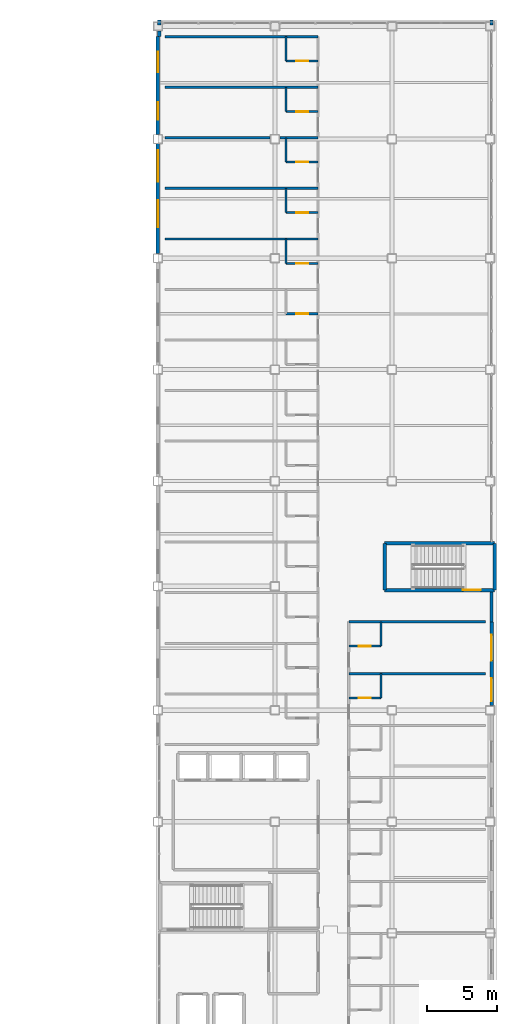
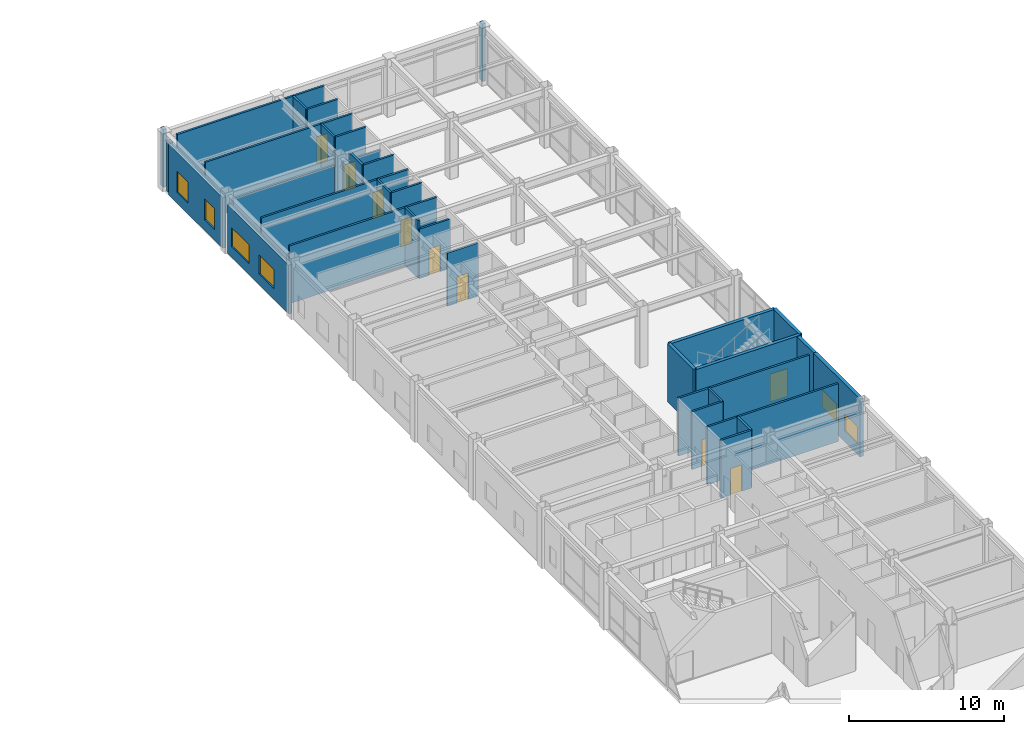
# One storey, part 55 of 61: 34 walls, 9 doors, 6 windows, 15 openings.
"""IFC4 building model written with IfcOpenShell, lengths in metres."""

from ifc_helpers import new_model, si_unit, direction, frame, frame_2d, origin, place, context, subcontext, project, spatial, rectangle, extrude, material, layer, layer_set, type_object, element, fill, save


model = new_model("IFC4")

# Units and contexts
model_context = context("Model", 3, precision=1e-05, world=origin(), true_north=direction((0.0, 1.0)))
body_context = subcontext(model_context, "Body", "Model", "MODEL_VIEW")
ifc_project = project(units=[si_unit("LENGTHUNIT", "METRE"), si_unit("AREAUNIT", "SQUARE_METRE"), si_unit("VOLUMEUNIT", "CUBIC_METRE"), si_unit("PLANEANGLEUNIT", "RADIAN"), si_unit("MASSUNIT", "GRAM", prefix="KILO")], contexts=[model_context])

# Site, building, storey
site_placement = place(None, origin())
site = spatial("IfcSite", under=ifc_project, at=site_placement, CompositionType="ELEMENT")
building_placement = place(site_placement, origin())
building = spatial("IfcBuilding", under=site, at=building_placement, Name="Kazehara Bluff Congress Hotel", CompositionType="ELEMENT")
storey_placement = place(building_placement, frame((0.0, 0.0, 19.800048828125)))
storey = spatial("IfcBuildingStorey", under=building, at=storey_placement, Name="L04", CompositionType="ELEMENT", Elevation=19.800048828125)

# Walls
ifc_material_1 = material(Name="Concrete C40/50", Category="concrete")
ifc_layer_1 = layer(ifc_material_1, 0.25)
ifc_layer_set_1 = layer_set([ifc_layer_1], Name="Concrete C40/50")
wall_type_1 = type_object("IfcWallType", Name="TP-CW-RC", PredefinedType="SHEAR", material=ifc_layer_set_1)
for number, where, z_axis, x_axis, name in (
    (1, (167.875, 76.425048828125, 0.0), (0.0, 0.0, 1.0), (0.0, -1.0, 0.0), "L04 ST-12 core wall near"),
    (2, (159.97509765625, 73.074951171875, 0.0), (0.0, 0.0, 1.0), (0.0, 1.0, 0.0), "L04 ST-12 core wall far"),
):
    element("IfcWall", number, at=place(storey_placement, frame(where, z_axis=z_axis, x_axis=x_axis)), inside=storey, type_object=wall_type_1, Name=name, PredefinedType="SHEAR", context=body_context, shape_type="SweptSolid", body=[
        extrude(rectangle(XDim=3.35009765625, YDim=0.25, at=frame_2d((1.675048828125, 0.0))), origin(), (0.0, 0.0, 1.0), 4.579833984375),
    ])
wall_1_placement = place(storey_placement, frame((159.97509765625, 76.425048828125, 0.0), z_axis=(0.0, 0.0, 1.0), x_axis=(1.0, 0.0, 0.0)))
element("IfcWall", 3, at=wall_1_placement, inside=storey, type_object=wall_type_1, Name="L04 ST-12 core wall left", PredefinedType="SHEAR", context=body_context, shape_type="SweptSolid", body=[
    extrude(rectangle(XDim=7.89990234375, YDim=0.25, at=frame_2d((3.949951171875, 0.0))), origin(), (0.0, 0.0, 1.0), 4.579833984375),
])

# Wall, opening, door
wall_2_placement = place(storey_placement, frame((167.875, 73.074951171875, 0.0), z_axis=(0.0, 0.0, 1.0), x_axis=(-1.0, 0.0, 0.0)))
wall_2 = element("IfcWall", 4, at=wall_2_placement, inside=storey, type_object=wall_type_1, Name="L04 ST-12 core wall right", PredefinedType="SHEAR", context=body_context, shape_type="SweptSolid", body=[
    extrude(rectangle(XDim=7.89990234375, YDim=0.25, at=frame_2d((3.949951171875, 0.0))), origin(), (0.0, 0.0, 1.0), 4.579833984375),
])
opening_1_placement = place(wall_2_placement, frame((0.985107421875, 0.0, 0.0)))
opening_1 = element("IfcOpeningElement", 5, at=opening_1_placement, cuts=wall_2, Name="Opening FD-01", PredefinedType="OPENING", context=body_context, shape_type="SweptSolid", body=[
    extrude(rectangle(XDim=1.300048828125, YDim=2.199951171875, at=frame_2d((0.64990234375, 1.10009765625))), frame((0.0, 0.135009765625, 0.0), z_axis=(0.0, -1.0, 0.0), x_axis=(1.0, 0.0, 0.0)), (0.0, 0.0, 1.0), 0.27001953125),
])
ifc_material_2 = material(Name="Fire-rated painted steel leaf", Category="steel")
door_type_1 = type_object("IfcDoorType", Name="TP-FD-01", OperationType="NOTDEFINED", PredefinedType="DOOR", material=ifc_material_2)
door_1_placement = place(opening_1_placement, origin())
door_1 = element("IfcDoor", 6, at=door_1_placement, inside=storey, type_object=door_type_1, Name="L04 ST-12 fire stair door", OperationType="SINGLE_SWING_RIGHT", OverallHeight=2.199951171875, OverallWidth=1.300048828125, PredefinedType="DOOR", context=body_context, shape_type="SweptSolid", body=[
    extrude(rectangle(XDim=1.300048828125, YDim=2.199951171875, at=frame_2d((0.64990234375, 1.10009765625))), frame((0.0, 0.02490234375, 0.0), z_axis=(0.0, -1.0, 0.0), x_axis=(1.0, 0.0, 0.0)), (0.0, 0.0, 1.0), 0.050048828125),
])
fill(opening_1, door_1)

# Walls
ifc_material_3 = material(Name="Precast concrete C40/50", Category="concrete")
ifc_layer_2 = layer(ifc_material_3, 0.239990234375)
ifc_layer_set_2 = layer_set([ifc_layer_2], Name="Precast concrete C40/50")
wall_type_2 = type_object("IfcWallType", Name="TP-EW-240", PredefinedType="SOLIDWALL", material=ifc_layer_set_2)
wall_3_placement = place(storey_placement, frame((167.64990234375, 72.93994140625, 0.0), z_axis=(0.0, 0.0, 1.0), x_axis=(0.0, -1.0, 0.0)))
element("IfcWall", 7, at=wall_3_placement, inside=storey, type_object=wall_type_2, Name="L04 V5 perimeter spandrel pier 726", PredefinedType="SOLIDWALL", context=body_context, shape_type="SweptSolid", body=[
    extrude(rectangle(XDim=2.139892578125, YDim=0.239990234375, at=frame_2d((1.06982421875, 0.0))), origin(), (0.0, 0.0, 1.0), 4.56494140625),
])
wall_4_placement = place(storey_placement, frame((167.64990234375, 114.0, 0.0), z_axis=(0.0, 0.0, 1.0), x_axis=(0.0, -1.0, 0.0)))
element("IfcWall", 8, at=wall_4_placement, inside=storey, type_object=wall_type_2, Name="L04 V5 perimeter spandrel pier 727", PredefinedType="SOLIDWALL", context=body_context, shape_type="SweptSolid", body=[
    extrude(rectangle(XDim=0.360107421875, YDim=0.239990234375, at=frame_2d((0.18017578125, 0.0))), origin(), (0.0, 0.0, 1.0), 4.56494140625),
])
wall_5_placement = place(storey_placement, frame((143.800048828125, 112.800048828125, 0.0), z_axis=(0.0, 0.0, 1.0), x_axis=(0.0, 1.0, 0.0)))
element("IfcWall", 9, at=wall_5_placement, inside=storey, type_object=wall_type_2, Name="L04 V5 perimeter spandrel pier 730", PredefinedType="SOLIDWALL", context=body_context, shape_type="SweptSolid", body=[
    extrude(rectangle(XDim=0.425048828125, YDim=0.239990234375, at=frame_2d((0.21240234375, 0.0))), origin(), (0.0, 0.0, 1.0), 4.0048828125),
])
wall_6_placement = place(storey_placement, frame((143.800048828125, 113.639892578125, 0.0), z_axis=(0.0, 0.0, 1.0), x_axis=(0.0, 1.0, 0.0)))
element("IfcWall", 10, at=wall_6_placement, inside=storey, type_object=wall_type_2, Name="L04 V5 perimeter spandrel pier 731", PredefinedType="SOLIDWALL", context=body_context, shape_type="SweptSolid", body=[
    extrude(rectangle(XDim=0.360107421875, YDim=0.239990234375, at=frame_2d((0.18017578125, 0.0))), origin(), (0.0, 0.0, 1.0), 4.56494140625),
])

# Wall, openings, windows
ifc_material_4 = material(Name="Precast concrete C40/50", Category="concrete")
ifc_layer_3 = layer(ifc_material_4, 0.260009765625)
ifc_layer_set_3 = layer_set([ifc_layer_3], Name="Precast concrete C40/50")
wall_type_3 = type_object("IfcWallType", Name="TP-EW-260", PredefinedType="SOLIDWALL", material=ifc_layer_set_3)
wall_7_placement = place(storey_placement, frame((167.64990234375, 70.800048828125, 0.0), z_axis=(0.0, 0.0, 1.0), x_axis=(0.0, -1.0, 0.0)))
wall_7 = element("IfcWall", 11, at=wall_7_placement, inside=storey, type_object=wall_type_3, Name="L04 hotel facade panel 32", PredefinedType="SOLIDWALL", context=body_context, shape_type="SweptSolid", body=[
    extrude(rectangle(XDim=6.025146484375, YDim=0.260009765625, at=frame_2d((3.0126953125, 0.0))), origin(), (0.0, 0.0, 1.0), 4.56494140625),
])
opening_2_placement = place(wall_7_placement, frame((4.050048828125, 0.0, 0.85009765625)))
opening_2 = element("IfcOpeningElement", 12, at=opening_2_placement, cuts=wall_7, Name="Opening WN-26", PredefinedType="OPENING", context=body_context, shape_type="SweptSolid", body=[
    extrude(rectangle(XDim=1.64990234375, YDim=1.35009765625, at=frame_2d((0.824951171875, 0.675048828125))), frame((0.0, 0.139892578125, 0.0), z_axis=(0.0, -1.0, 0.0), x_axis=(1.0, 0.0, 0.0)), (0.0, 0.0, 1.0), 0.280029296875),
])
opening_3_placement = place(wall_7_placement, frame((0.93994140625, 0.0, 0.85009765625)))
opening_3 = element("IfcOpeningElement", 13, at=opening_3_placement, cuts=wall_7, Name="Opening WN-36", PredefinedType="OPENING", context=body_context, shape_type="SweptSolid", body=[
    extrude(rectangle(XDim=1.85009765625, YDim=1.35009765625, at=frame_2d((0.925048828125, 0.675048828125))), frame((0.0, 0.139892578125, 0.0), z_axis=(0.0, -1.0, 0.0), x_axis=(1.0, 0.0, 0.0)), (0.0, 0.0, 1.0), 0.280029296875),
])
ifc_material_5 = material(Name="Insulated low-E double glazing", Category="glass")
window_type_1 = type_object("IfcWindowType", Name="TP-WN-26", PartitioningType="SINGLE_PANEL", PredefinedType="WINDOW", material=ifc_material_5)
window_1_placement = place(opening_2_placement, origin())
window_1 = element("IfcWindow", 14, at=window_1_placement, inside=storey, type_object=window_type_1, Name="L04 guestroom window WN-26 47", OverallHeight=1.35009765625, OverallWidth=1.64990234375, PartitioningType="SINGLE_PANEL", PredefinedType="WINDOW", context=body_context, shape_type="SweptSolid", body=[
    extrude(rectangle(XDim=1.64990234375, YDim=1.35009765625, at=frame_2d((0.824951171875, 0.675048828125))), frame((0.0, 0.030029296875, 0.0), z_axis=(0.0, -1.0, 0.0), x_axis=(1.0, 0.0, 0.0)), (0.0, 0.0, 1.0), 0.06005859375),
])
fill(opening_2, window_1)
ifc_material_6 = material(Name="Insulated low-E double glazing", Category="glass")
window_type_2 = type_object("IfcWindowType", Name="TP-WN-36", PartitioningType="DOUBLE_PANEL_VERTICAL", PredefinedType="WINDOW", material=ifc_material_6)
window_2_placement = place(opening_3_placement, origin())
window_2 = element("IfcWindow", 15, at=window_2_placement, inside=storey, type_object=window_type_2, Name="L04 guestroom window WN-36 48", OverallHeight=1.35009765625, OverallWidth=1.85009765625, PartitioningType="SINGLE_PANEL", PredefinedType="WINDOW", context=body_context, shape_type="SweptSolid", body=[
    extrude(rectangle(XDim=1.85009765625, YDim=1.35009765625, at=frame_2d((0.925048828125, 0.675048828125))), frame((0.0, 0.030029296875, 0.0), z_axis=(0.0, -1.0, 0.0), x_axis=(1.0, 0.0, 0.0)), (0.0, 0.0, 1.0), 0.06005859375),
])
fill(opening_3, window_2)

wall_8_placement = place(storey_placement, frame((143.699951171875, 97.22509765625, 0.0), z_axis=(0.0, 0.0, 1.0), x_axis=(0.0, 1.0, 0.0)))
wall_8 = element("IfcWall", 16, at=wall_8_placement, inside=storey, type_object=wall_type_3, Name="L04 hotel facade panel 40", PredefinedType="SOLIDWALL", context=body_context, shape_type="SweptSolid", body=[
    extrude(rectangle(XDim=7.89990234375, YDim=0.260009765625, at=frame_2d((3.949951171875, 0.0))), origin(), (0.0, 0.0, 1.0), 3.85498046875),
])
opening_4_placement = place(wall_8_placement, frame((1.89990234375, 0.0, 0.85009765625)))
opening_4 = element("IfcOpeningElement", 17, at=opening_4_placement, cuts=wall_8, Name="Opening WN-42", PredefinedType="OPENING", context=body_context, shape_type="SweptSolid", body=[
    extrude(rectangle(XDim=1.949951171875, YDim=1.5, at=frame_2d((0.97509765625, 0.75))), frame((0.0, 0.139892578125, 0.0), z_axis=(0.0, -1.0, 0.0), x_axis=(1.0, 0.0, 0.0)), (0.0, 0.0, 1.0), 0.280029296875),
])
opening_5_placement = place(wall_8_placement, frame((5.169921875, 0.0, 0.85009765625)))
opening_5 = element("IfcOpeningElement", 18, at=opening_5_placement, cuts=wall_8, Name="Opening WN-52", PredefinedType="OPENING", context=body_context, shape_type="SweptSolid", body=[
    extrude(rectangle(XDim=2.25, YDim=1.5, at=frame_2d((1.125, 0.75))), frame((0.0, 0.139892578125, 0.0), z_axis=(0.0, -1.0, 0.0), x_axis=(1.0, 0.0, 0.0)), (0.0, 0.0, 1.0), 0.280029296875),
])
ifc_material_7 = material(Name="Insulated low-E double glazing", Category="glass")
window_type_3 = type_object("IfcWindowType", Name="TP-WN-42", PartitioningType="DOUBLE_PANEL_VERTICAL", PredefinedType="WINDOW", material=ifc_material_7)
window_3_placement = place(opening_4_placement, origin())
window_3 = element("IfcWindow", 19, at=window_3_placement, inside=storey, type_object=window_type_3, Name="L04 guestroom window WN-42 63", OverallHeight=1.5, OverallWidth=1.949951171875, PartitioningType="SINGLE_PANEL", PredefinedType="WINDOW", context=body_context, shape_type="SweptSolid", body=[
    extrude(rectangle(XDim=1.949951171875, YDim=1.5, at=frame_2d((0.97509765625, 0.75))), frame((0.0, 0.030029296875, 0.0), z_axis=(0.0, -1.0, 0.0), x_axis=(1.0, 0.0, 0.0)), (0.0, 0.0, 1.0), 0.06005859375),
])
fill(opening_4, window_3)
ifc_material_8 = material(Name="Insulated low-E double glazing", Category="glass")
window_type_4 = type_object("IfcWindowType", Name="TP-WN-52", PartitioningType="DOUBLE_PANEL_VERTICAL", PredefinedType="WINDOW", material=ifc_material_8)
window_4_placement = place(opening_5_placement, origin())
window_4 = element("IfcWindow", 20, at=window_4_placement, inside=storey, type_object=window_type_4, Name="L04 guestroom window WN-52 64", OverallHeight=1.5, OverallWidth=2.25, PartitioningType="SINGLE_PANEL", PredefinedType="WINDOW", context=body_context, shape_type="SweptSolid", body=[
    extrude(rectangle(XDim=2.25, YDim=1.5, at=frame_2d((1.125, 0.75))), frame((0.0, 0.030029296875, 0.0), z_axis=(0.0, -1.0, 0.0), x_axis=(1.0, 0.0, 0.0)), (0.0, 0.0, 1.0), 0.06005859375),
])
fill(opening_5, window_4)

wall_9_placement = place(storey_placement, frame((143.699951171875, 105.77490234375, 0.0), z_axis=(0.0, 0.0, 1.0), x_axis=(0.0, 1.0, 0.0)))
wall_9 = element("IfcWall", 21, at=wall_9_placement, inside=storey, type_object=wall_type_3, Name="L04 hotel facade panel 41", PredefinedType="SOLIDWALL", context=body_context, shape_type="SweptSolid", body=[
    extrude(rectangle(XDim=7.025146484375, YDim=0.260009765625, at=frame_2d((3.5126953125, 0.0))), origin(), (0.0, 0.0, 1.0), 4.0048828125),
])
opening_6_placement = place(wall_9_placement, frame((1.070068359375, 0.0, 0.85009765625)))
opening_6 = element("IfcOpeningElement", 22, at=opening_6_placement, cuts=wall_9, Name="Opening WN-08", PredefinedType="OPENING", context=body_context, shape_type="SweptSolid", body=[
    extrude(rectangle(XDim=1.25, YDim=1.64990234375, at=frame_2d((0.625, 0.824951171875))), frame((0.0, 0.139892578125, 0.0), z_axis=(0.0, -1.0, 0.0), x_axis=(1.0, 0.0, 0.0)), (0.0, 0.0, 1.0), 0.280029296875),
])
opening_7_placement = place(wall_9_placement, frame((4.485107421875, 0.0, 0.85009765625)))
opening_7 = element("IfcOpeningElement", 23, at=opening_7_placement, cuts=wall_9, Name="Opening WN-18", PredefinedType="OPENING", context=body_context, shape_type="SweptSolid", body=[
    extrude(rectangle(XDim=1.449951171875, YDim=1.64990234375, at=frame_2d((0.72509765625, 0.824951171875))), frame((0.0, 0.139892578125, 0.0), z_axis=(0.0, -1.0, 0.0), x_axis=(1.0, 0.0, 0.0)), (0.0, 0.0, 1.0), 0.280029296875),
])
ifc_material_9 = material(Name="Insulated low-E double glazing", Category="glass")
window_type_5 = type_object("IfcWindowType", Name="TP-WN-08", PartitioningType="SINGLE_PANEL", PredefinedType="WINDOW", material=ifc_material_9)
window_5_placement = place(opening_6_placement, origin())
window_5 = element("IfcWindow", 24, at=window_5_placement, inside=storey, type_object=window_type_5, Name="L04 guestroom window WN-08 65", OverallHeight=1.64990234375, OverallWidth=1.25, PartitioningType="SINGLE_PANEL", PredefinedType="WINDOW", context=body_context, shape_type="SweptSolid", body=[
    extrude(rectangle(XDim=1.25, YDim=1.64990234375, at=frame_2d((0.625, 0.824951171875))), frame((0.0, 0.030029296875, 0.0), z_axis=(0.0, -1.0, 0.0), x_axis=(1.0, 0.0, 0.0)), (0.0, 0.0, 1.0), 0.06005859375),
])
fill(opening_6, window_5)
ifc_material_10 = material(Name="Insulated low-E double glazing", Category="glass")
window_type_6 = type_object("IfcWindowType", Name="TP-WN-18", PartitioningType="SINGLE_PANEL", PredefinedType="WINDOW", material=ifc_material_10)
window_6_placement = place(opening_7_placement, origin())
window_6 = element("IfcWindow", 25, at=window_6_placement, inside=storey, type_object=window_type_6, Name="L04 guestroom window WN-18 66", OverallHeight=1.64990234375, OverallWidth=1.449951171875, PartitioningType="SINGLE_PANEL", PredefinedType="WINDOW", context=body_context, shape_type="SweptSolid", body=[
    extrude(rectangle(XDim=1.449951171875, YDim=1.64990234375, at=frame_2d((0.72509765625, 0.824951171875))), frame((0.0, 0.030029296875, 0.0), z_axis=(0.0, -1.0, 0.0), x_axis=(1.0, 0.0, 0.0)), (0.0, 0.0, 1.0), 0.06005859375),
])
fill(opening_7, window_6)

# Wall, opening, door
ifc_material_11 = material(Name="Fire-rated gypsum board stud partition")
ifc_layer_4 = layer(ifc_material_11, 0.14990234375)
ifc_layer_set_4 = layer_set([ifc_layer_4], Name="Fire-rated gypsum board stud partition")
wall_type_4 = type_object("IfcWallType", Name="TP-PT-150", PredefinedType="PARTITIONING", material=ifc_layer_set_4)
wall_10_placement = place(storey_placement, frame((157.39990234375, 65.320068359375, 0.0), z_axis=(0.0, 0.0, 1.0), x_axis=(1.0, 0.0, 0.0)))
wall_10 = element("IfcWall", 26, at=wall_10_placement, inside=storey, type_object=wall_type_4, Name="L04 partition PT-150 424", PredefinedType="PARTITIONING", context=body_context, shape_type="SweptSolid", body=[
    extrude(rectangle(XDim=2.300048828125, YDim=0.14990234375, at=frame_2d((1.14990234375, 0.0))), origin(), (0.0, 0.0, 1.0), 4.56494140625),
])
opening_8_placement = place(wall_10_placement, frame((0.72509765625, 0.0, 0.0)))
opening_8 = element("IfcOpeningElement", 27, at=opening_8_placement, cuts=wall_10, Name="Opening BD-01", PredefinedType="OPENING", context=body_context, shape_type="SweptSolid", body=[
    extrude(rectangle(XDim=0.85009765625, YDim=2.10009765625, at=frame_2d((0.425048828125, 1.050048828125))), frame((0.0, 0.0849609375, 0.0), z_axis=(0.0, -1.0, 0.0), x_axis=(1.0, 0.0, 0.0)), (0.0, 0.0, 1.0), 0.169921875),
])
ifc_material_12 = material(Name="Architectural oak veneer leaf")
door_type_2 = type_object("IfcDoorType", Name="TP-BD-01", OperationType="NOTDEFINED", PredefinedType="DOOR", material=ifc_material_12)
door_2_placement = place(opening_8_placement, origin())
door_2 = element("IfcDoor", 28, at=door_2_placement, inside=storey, type_object=door_type_2, Name="L04 En-suite Bathroom 65 door", OperationType="SINGLE_SWING_LEFT", OverallHeight=2.10009765625, OverallWidth=0.85009765625, PredefinedType="DOOR", context=body_context, shape_type="SweptSolid", body=[
    extrude(rectangle(XDim=0.85009765625, YDim=2.10009765625, at=frame_2d((0.425048828125, 1.050048828125))), frame((0.0, 0.02490234375, 0.0), z_axis=(0.0, -1.0, 0.0), x_axis=(1.0, 0.0, 0.0)), (0.0, 0.0, 1.0), 0.050048828125),
])
fill(opening_8, door_2)

# Wall
wall_11_placement = place(storey_placement, frame((157.39990234375, 67.070068359375, 0.0), z_axis=(0.0, 0.0, 1.0), x_axis=(1.0, 0.0, 0.0)))
element("IfcWall", 29, at=wall_11_placement, inside=storey, type_object=wall_type_4, Name="L04 partition PT-150 426", PredefinedType="PARTITIONING", context=body_context, shape_type="SweptSolid", body=[
    extrude(rectangle(XDim=9.800048828125, YDim=0.14990234375, at=frame_2d((4.89990234375, 0.0))), origin(), (0.0, 0.0, 1.0), 4.56494140625),
])

# Wall, opening, door
wall_12_placement = place(storey_placement, frame((157.39990234375, 69.050048828125, 0.0), z_axis=(0.0, 0.0, 1.0), x_axis=(1.0, 0.0, 0.0)))
wall_12 = element("IfcWall", 30, at=wall_12_placement, inside=storey, type_object=wall_type_4, Name="L04 partition PT-150 428", PredefinedType="PARTITIONING", context=body_context, shape_type="SweptSolid", body=[
    extrude(rectangle(XDim=2.300048828125, YDim=0.14990234375, at=frame_2d((1.14990234375, 0.0))), origin(), (0.0, 0.0, 1.0), 4.56494140625),
])
opening_9_placement = place(wall_12_placement, frame((0.72509765625, 0.0, 0.0)))
opening_9 = element("IfcOpeningElement", 31, at=opening_9_placement, cuts=wall_12, Name="Opening BD-01", PredefinedType="OPENING", context=body_context, shape_type="SweptSolid", body=[
    extrude(rectangle(XDim=0.85009765625, YDim=2.10009765625, at=frame_2d((0.425048828125, 1.050048828125))), frame((0.0, 0.0849609375, 0.0), z_axis=(0.0, -1.0, 0.0), x_axis=(1.0, 0.0, 0.0)), (0.0, 0.0, 1.0), 0.169921875),
])
door_3_placement = place(opening_9_placement, origin())
door_3 = element("IfcDoor", 32, at=door_3_placement, inside=storey, type_object=door_type_2, Name="L04 En-suite Bathroom 66 door", OperationType="SINGLE_SWING_LEFT", OverallHeight=2.10009765625, OverallWidth=0.85009765625, PredefinedType="DOOR", context=body_context, shape_type="SweptSolid", body=[
    extrude(rectangle(XDim=0.85009765625, YDim=2.10009765625, at=frame_2d((0.425048828125, 1.050048828125))), frame((0.0, 0.02490234375, 0.0), z_axis=(0.0, -1.0, 0.0), x_axis=(1.0, 0.0, 0.0)), (0.0, 0.0, 1.0), 0.050048828125),
])
fill(opening_9, door_3)

# Wall
wall_13_placement = place(storey_placement, frame((157.39990234375, 70.800048828125, 0.0), z_axis=(0.0, 0.0, 1.0), x_axis=(1.0, 0.0, 0.0)))
element("IfcWall", 33, at=wall_13_placement, inside=storey, type_object=wall_type_4, Name="L04 partition PT-150 430", PredefinedType="PARTITIONING", context=body_context, shape_type="SweptSolid", body=[
    extrude(rectangle(XDim=9.800048828125, YDim=0.14990234375, at=frame_2d((4.89990234375, 0.0))), origin(), (0.0, 0.0, 1.0), 4.56494140625),
])

# Wall, opening, door
wall_14_placement = place(storey_placement, frame((152.89990234375, 92.909912109375, 0.0), z_axis=(0.0, 0.0, 1.0), x_axis=(1.0, 0.0, 0.0)))
wall_14 = element("IfcWall", 34, at=wall_14_placement, inside=storey, type_object=wall_type_4, Name="L04 partition PT-150 443", PredefinedType="PARTITIONING", context=body_context, shape_type="SweptSolid", body=[
    extrude(rectangle(XDim=2.300048828125, YDim=0.14990234375, at=frame_2d((1.14990234375, 0.0))), origin(), (0.0, 0.0, 1.0), 4.204833984375),
])
opening_10_placement = place(wall_14_placement, frame((0.72509765625, 0.0, 0.0)))
opening_10 = element("IfcOpeningElement", 35, at=opening_10_placement, cuts=wall_14, Name="Opening BD-01", PredefinedType="OPENING", context=body_context, shape_type="SweptSolid", body=[
    extrude(rectangle(XDim=0.85009765625, YDim=2.10009765625, at=frame_2d((0.425048828125, 1.050048828125))), frame((0.0, 0.0849609375, 0.0), z_axis=(0.0, -1.0, 0.0), x_axis=(1.0, 0.0, 0.0)), (0.0, 0.0, 1.0), 0.169921875),
])
door_4_placement = place(opening_10_placement, origin())
door_4 = element("IfcDoor", 36, at=door_4_placement, inside=storey, type_object=door_type_2, Name="L04 En-suite Bathroom 43 door", OperationType="SINGLE_SWING_LEFT", OverallHeight=2.10009765625, OverallWidth=0.85009765625, PredefinedType="DOOR", context=body_context, shape_type="SweptSolid", body=[
    extrude(rectangle(XDim=0.85009765625, YDim=2.10009765625, at=frame_2d((0.425048828125, 1.050048828125))), frame((0.0, 0.02490234375, 0.0), z_axis=(0.0, -1.0, 0.0), x_axis=(1.0, 0.0, 0.0)), (0.0, 0.0, 1.0), 0.050048828125),
])
fill(opening_10, door_4)

wall_15_placement = place(storey_placement, frame((152.89990234375, 96.530029296875, 0.0), z_axis=(0.0, 0.0, 1.0), x_axis=(1.0, 0.0, 0.0)))
wall_15 = element("IfcWall", 37, at=wall_15_placement, inside=storey, type_object=wall_type_4, Name="L04 partition PT-150 445", PredefinedType="PARTITIONING", context=body_context, shape_type="SweptSolid", body=[
    extrude(rectangle(XDim=2.300048828125, YDim=0.14990234375, at=frame_2d((1.14990234375, 0.0))), origin(), (0.0, 0.0, 1.0), 3.905029296875),
])
opening_11_placement = place(wall_15_placement, frame((0.72509765625, 0.0, 0.0)))
opening_11 = element("IfcOpeningElement", 38, at=opening_11_placement, cuts=wall_15, Name="Opening BD-01", PredefinedType="OPENING", context=body_context, shape_type="SweptSolid", body=[
    extrude(rectangle(XDim=0.85009765625, YDim=2.10009765625, at=frame_2d((0.425048828125, 1.050048828125))), frame((0.0, 0.0849609375, 0.0), z_axis=(0.0, -1.0, 0.0), x_axis=(1.0, 0.0, 0.0)), (0.0, 0.0, 1.0), 0.169921875),
])
door_5_placement = place(opening_11_placement, origin())
door_5 = element("IfcDoor", 39, at=door_5_placement, inside=storey, type_object=door_type_2, Name="L04 En-suite Bathroom 44 door", OperationType="SINGLE_SWING_LEFT", OverallHeight=2.10009765625, OverallWidth=0.85009765625, PredefinedType="DOOR", context=body_context, shape_type="SweptSolid", body=[
    extrude(rectangle(XDim=0.85009765625, YDim=2.10009765625, at=frame_2d((0.425048828125, 1.050048828125))), frame((0.0, 0.02490234375, 0.0), z_axis=(0.0, -1.0, 0.0), x_axis=(1.0, 0.0, 0.0)), (0.0, 0.0, 1.0), 0.050048828125),
])
fill(opening_11, door_5)

# Wall
wall_16_placement = place(storey_placement, frame((144.199951171875, 98.280029296875, 0.0), z_axis=(0.0, 0.0, 1.0), x_axis=(1.0, 0.0, 0.0)))
element("IfcWall", 40, at=wall_16_placement, inside=storey, type_object=wall_type_4, Name="L04 partition PT-150 446", PredefinedType="PARTITIONING", context=body_context, shape_type="SweptSolid", body=[
    extrude(rectangle(XDim=11.0, YDim=0.14990234375, at=frame_2d((5.5, 0.0))), origin(), (0.0, 0.0, 1.0), 4.56494140625),
])

# Wall, opening, door
wall_17_placement = place(storey_placement, frame((152.89990234375, 100.169921875, 0.0), z_axis=(0.0, 0.0, 1.0), x_axis=(1.0, 0.0, 0.0)))
wall_17 = element("IfcWall", 41, at=wall_17_placement, inside=storey, type_object=wall_type_4, Name="L04 partition PT-150 447", PredefinedType="PARTITIONING", context=body_context, shape_type="SweptSolid", body=[
    extrude(rectangle(XDim=2.300048828125, YDim=0.14990234375, at=frame_2d((1.14990234375, 0.0))), origin(), (0.0, 0.0, 1.0), 4.56494140625),
])
opening_12_placement = place(wall_17_placement, frame((0.72509765625, 0.0, 0.0)))
opening_12 = element("IfcOpeningElement", 42, at=opening_12_placement, cuts=wall_17, Name="Opening BD-01", PredefinedType="OPENING", context=body_context, shape_type="SweptSolid", body=[
    extrude(rectangle(XDim=0.85009765625, YDim=2.10009765625, at=frame_2d((0.425048828125, 1.050048828125))), frame((0.0, 0.0849609375, 0.0), z_axis=(0.0, -1.0, 0.0), x_axis=(1.0, 0.0, 0.0)), (0.0, 0.0, 1.0), 0.169921875),
])
door_6_placement = place(opening_12_placement, origin())
door_6 = element("IfcDoor", 43, at=door_6_placement, inside=storey, type_object=door_type_2, Name="L04 En-suite Bathroom 45 door", OperationType="SINGLE_SWING_LEFT", OverallHeight=2.10009765625, OverallWidth=0.85009765625, PredefinedType="DOOR", context=body_context, shape_type="SweptSolid", body=[
    extrude(rectangle(XDim=0.85009765625, YDim=2.10009765625, at=frame_2d((0.425048828125, 1.050048828125))), frame((0.0, 0.02490234375, 0.0), z_axis=(0.0, -1.0, 0.0), x_axis=(1.0, 0.0, 0.0)), (0.0, 0.0, 1.0), 0.050048828125),
])
fill(opening_12, door_6)

# Wall
wall_18_placement = place(storey_placement, frame((144.199951171875, 101.919921875, 0.0), z_axis=(0.0, 0.0, 1.0), x_axis=(1.0, 0.0, 0.0)))
element("IfcWall", 44, at=wall_18_placement, inside=storey, type_object=wall_type_4, Name="L04 partition PT-150 448", PredefinedType="PARTITIONING", context=body_context, shape_type="SweptSolid", body=[
    extrude(rectangle(XDim=11.0, YDim=0.14990234375, at=frame_2d((5.5, 0.0))), origin(), (0.0, 0.0, 1.0), 4.56494140625),
])

# Wall, opening, door
wall_19_placement = place(storey_placement, frame((152.89990234375, 103.800048828125, 0.0), z_axis=(0.0, 0.0, 1.0), x_axis=(1.0, 0.0, 0.0)))
wall_19 = element("IfcWall", 45, at=wall_19_placement, inside=storey, type_object=wall_type_4, Name="L04 partition PT-150 449", PredefinedType="PARTITIONING", context=body_context, shape_type="SweptSolid", body=[
    extrude(rectangle(XDim=2.300048828125, YDim=0.14990234375, at=frame_2d((1.14990234375, 0.0))), origin(), (0.0, 0.0, 1.0), 4.56494140625),
])
opening_13_placement = place(wall_19_placement, frame((0.72509765625, 0.0, 0.0)))
opening_13 = element("IfcOpeningElement", 46, at=opening_13_placement, cuts=wall_19, Name="Opening BD-01", PredefinedType="OPENING", context=body_context, shape_type="SweptSolid", body=[
    extrude(rectangle(XDim=0.85009765625, YDim=2.10009765625, at=frame_2d((0.425048828125, 1.050048828125))), frame((0.0, 0.0849609375, 0.0), z_axis=(0.0, -1.0, 0.0), x_axis=(1.0, 0.0, 0.0)), (0.0, 0.0, 1.0), 0.169921875),
])
door_7_placement = place(opening_13_placement, origin())
door_7 = element("IfcDoor", 47, at=door_7_placement, inside=storey, type_object=door_type_2, Name="L04 En-suite Bathroom 46 door", OperationType="SINGLE_SWING_LEFT", OverallHeight=2.10009765625, OverallWidth=0.85009765625, PredefinedType="DOOR", context=body_context, shape_type="SweptSolid", body=[
    extrude(rectangle(XDim=0.85009765625, YDim=2.10009765625, at=frame_2d((0.425048828125, 1.050048828125))), frame((0.0, 0.02490234375, 0.0), z_axis=(0.0, -1.0, 0.0), x_axis=(1.0, 0.0, 0.0)), (0.0, 0.0, 1.0), 0.050048828125),
])
fill(opening_13, door_7)

# Walls
wall_20_placement = place(storey_placement, frame((144.199951171875, 105.550048828125, 0.0), z_axis=(0.0, 0.0, 1.0), x_axis=(1.0, 0.0, 0.0)))
element("IfcWall", 48, at=wall_20_placement, inside=storey, type_object=wall_type_4, Name="L04 partition PT-150 450", PredefinedType="PARTITIONING", context=body_context, shape_type="SweptSolid", body=[
    extrude(rectangle(XDim=7.554931640625, YDim=0.14990234375, at=frame_2d((3.77734375, 0.0))), origin(), (0.0, 0.0, 1.0), 3.905029296875),
])
wall_21_placement = place(storey_placement, frame((152.445068359375, 105.550048828125, 0.0), z_axis=(0.0, 0.0, 1.0), x_axis=(1.0, 0.0, 0.0)))
element("IfcWall", 49, at=wall_21_placement, inside=storey, type_object=wall_type_4, Name="L04 partition PT-150 451", PredefinedType="PARTITIONING", context=body_context, shape_type="SweptSolid", body=[
    extrude(rectangle(XDim=2.7548828125, YDim=0.14990234375, at=frame_2d((1.37744140625, 0.0))), origin(), (0.0, 0.0, 1.0), 3.905029296875),
])

# Wall, opening, door
wall_22_placement = place(storey_placement, frame((152.89990234375, 107.419921875, 0.0), z_axis=(0.0, 0.0, 1.0), x_axis=(1.0, 0.0, 0.0)))
wall_22 = element("IfcWall", 50, at=wall_22_placement, inside=storey, type_object=wall_type_4, Name="L04 partition PT-150 452", PredefinedType="PARTITIONING", context=body_context, shape_type="SweptSolid", body=[
    extrude(rectangle(XDim=2.300048828125, YDim=0.14990234375, at=frame_2d((1.14990234375, 0.0))), origin(), (0.0, 0.0, 1.0), 4.56494140625),
])
opening_14_placement = place(wall_22_placement, frame((0.72509765625, 0.0, 0.0)))
opening_14 = element("IfcOpeningElement", 51, at=opening_14_placement, cuts=wall_22, Name="Opening BD-01", PredefinedType="OPENING", context=body_context, shape_type="SweptSolid", body=[
    extrude(rectangle(XDim=0.85009765625, YDim=2.10009765625, at=frame_2d((0.425048828125, 1.050048828125))), frame((0.0, 0.0849609375, 0.0), z_axis=(0.0, -1.0, 0.0), x_axis=(1.0, 0.0, 0.0)), (0.0, 0.0, 1.0), 0.169921875),
])
door_8_placement = place(opening_14_placement, origin())
door_8 = element("IfcDoor", 52, at=door_8_placement, inside=storey, type_object=door_type_2, Name="L04 En-suite Bathroom 47 door", OperationType="SINGLE_SWING_LEFT", OverallHeight=2.10009765625, OverallWidth=0.85009765625, PredefinedType="DOOR", context=body_context, shape_type="SweptSolid", body=[
    extrude(rectangle(XDim=0.85009765625, YDim=2.10009765625, at=frame_2d((0.425048828125, 1.050048828125))), frame((0.0, 0.02490234375, 0.0), z_axis=(0.0, -1.0, 0.0), x_axis=(1.0, 0.0, 0.0)), (0.0, 0.0, 1.0), 0.050048828125),
])
fill(opening_14, door_8)

# Wall
wall_23_placement = place(storey_placement, frame((144.199951171875, 109.169921875, 0.0), z_axis=(0.0, 0.0, 1.0), x_axis=(1.0, 0.0, 0.0)))
element("IfcWall", 53, at=wall_23_placement, inside=storey, type_object=wall_type_4, Name="L04 partition PT-150 453", PredefinedType="PARTITIONING", context=body_context, shape_type="SweptSolid", body=[
    extrude(rectangle(XDim=11.0, YDim=0.14990234375, at=frame_2d((5.5, 0.0))), origin(), (0.0, 0.0, 1.0), 4.56494140625),
])

# Wall, opening, door
wall_24_placement = place(storey_placement, frame((152.89990234375, 111.050048828125, 0.0), z_axis=(0.0, 0.0, 1.0), x_axis=(1.0, 0.0, 0.0)))
wall_24 = element("IfcWall", 54, at=wall_24_placement, inside=storey, type_object=wall_type_4, Name="L04 partition PT-150 454", PredefinedType="PARTITIONING", context=body_context, shape_type="SweptSolid", body=[
    extrude(rectangle(XDim=2.300048828125, YDim=0.14990234375, at=frame_2d((1.14990234375, 0.0))), origin(), (0.0, 0.0, 1.0), 4.56494140625),
])
opening_15_placement = place(wall_24_placement, frame((0.72509765625, 0.0, 0.0)))
opening_15 = element("IfcOpeningElement", 55, at=opening_15_placement, cuts=wall_24, Name="Opening BD-01", PredefinedType="OPENING", context=body_context, shape_type="SweptSolid", body=[
    extrude(rectangle(XDim=0.85009765625, YDim=2.10009765625, at=frame_2d((0.425048828125, 1.050048828125))), frame((0.0, 0.0849609375, 0.0), z_axis=(0.0, -1.0, 0.0), x_axis=(1.0, 0.0, 0.0)), (0.0, 0.0, 1.0), 0.169921875),
])
door_9_placement = place(opening_15_placement, origin())
door_9 = element("IfcDoor", 56, at=door_9_placement, inside=storey, type_object=door_type_2, Name="L04 En-suite Bathroom 48 door", OperationType="SINGLE_SWING_LEFT", OverallHeight=2.10009765625, OverallWidth=0.85009765625, PredefinedType="DOOR", context=body_context, shape_type="SweptSolid", body=[
    extrude(rectangle(XDim=0.85009765625, YDim=2.10009765625, at=frame_2d((0.425048828125, 1.050048828125))), frame((0.0, 0.02490234375, 0.0), z_axis=(0.0, -1.0, 0.0), x_axis=(1.0, 0.0, 0.0)), (0.0, 0.0, 1.0), 0.050048828125),
])
fill(opening_15, door_9)

# Walls
wall_25_placement = place(storey_placement, frame((144.199951171875, 112.800048828125, 0.0), z_axis=(0.0, 0.0, 1.0), x_axis=(1.0, 0.0, 0.0)))
element("IfcWall", 57, at=wall_25_placement, inside=storey, type_object=wall_type_4, Name="L04 partition PT-150 455", PredefinedType="PARTITIONING", context=body_context, shape_type="SweptSolid", body=[
    extrude(rectangle(XDim=11.0, YDim=0.14990234375, at=frame_2d((5.5, 0.0))), origin(), (0.0, 0.0, 1.0), 4.56494140625),
])
for number, where, z_axis, x_axis, name in (
    (58, (152.89990234375, 96.534912109375, 0.0), (0.0, 0.0, 1.0), (0.0, 1.0, 0.0), "L04 partition PT-150 474"),
    (59, (152.89990234375, 100.1650390625, 0.0), (0.0, 0.0, 1.0), (0.0, 1.0, 0.0), "L04 partition PT-150 475"),
    (60, (152.89990234375, 103.794921875, 0.0), (0.0, 0.0, 1.0), (0.0, 1.0, 0.0), "L04 partition PT-150 476"),
    (61, (152.89990234375, 107.419921875, 0.0), (0.0, 0.0, 1.0), (0.0, 1.0, 0.0), "L04 partition PT-150 477"),
    (62, (152.89990234375, 111.050048828125, 0.0), (0.0, 0.0, 1.0), (0.0, 1.0, 0.0), "L04 partition PT-150 478"),
    (63, (159.699951171875, 65.320068359375, 0.0), (0.0, 0.0, 1.0), (0.0, 1.0, 0.0), "L04 partition PT-150 503"),
    (64, (159.699951171875, 69.050048828125, 0.0), (0.0, 0.0, 1.0), (0.0, 1.0, 0.0), "L04 partition PT-150 504"),
):
    element("IfcWall", number, at=place(storey_placement, frame(where, z_axis=z_axis, x_axis=x_axis)), inside=storey, type_object=wall_type_4, Name=name, PredefinedType="PARTITIONING", context=body_context, shape_type="SweptSolid", body=[
        extrude(rectangle(XDim=1.75, YDim=0.14990234375, at=frame_2d((0.875, 0.0))), origin(), (0.0, 0.0, 1.0), 4.56494140625),
    ])

save(model, "model.ifc")
